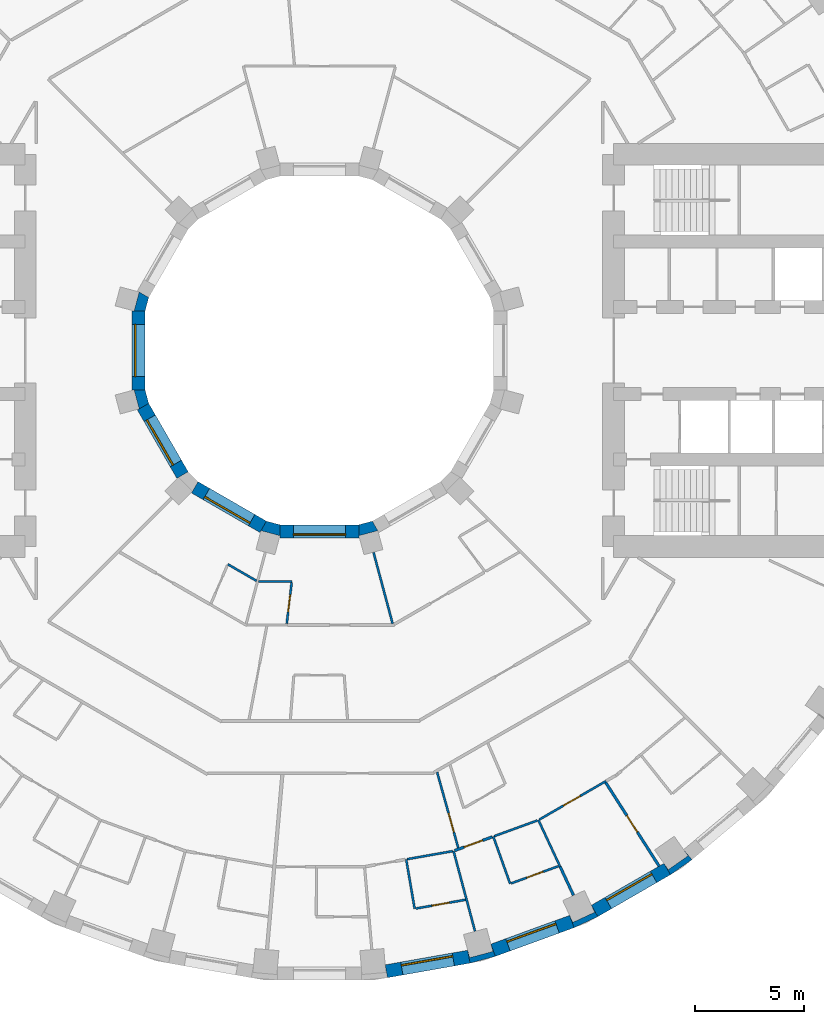
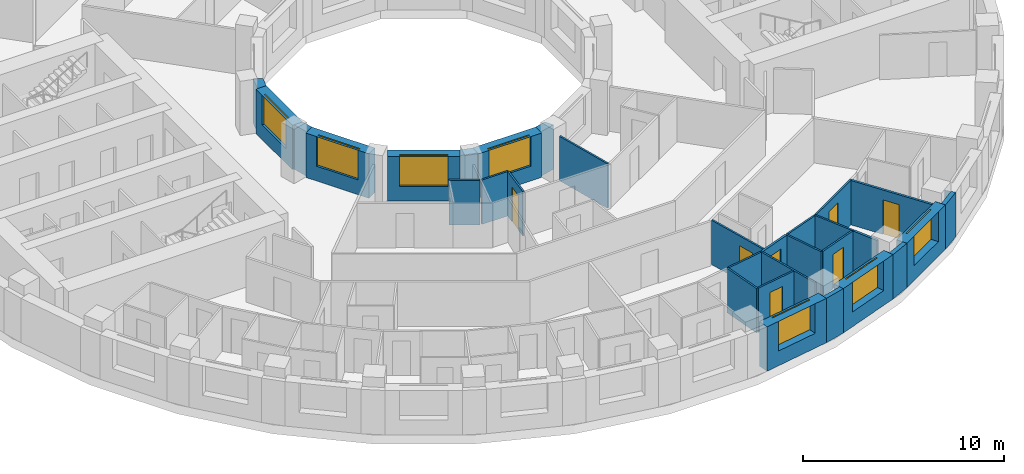
# One storey, part 7 of 15: 31 walls, 7 doors, 7 windows, 14 openings.
"""IFC4 building model written with IfcOpenShell, lengths in metres."""

from ifc_helpers import new_model, si_unit, direction, frame, frame_2d, origin, place, context, subcontext, project, spatial, polyline, rectangle, outline, extrude, material, layer, layer_set, type_object, element, fill, save


model = new_model("IFC4")

# Units and contexts
model_context = context("Model", 3, precision=1e-05, world=origin(), true_north=direction((0.0, 1.0)))
body_context = subcontext(model_context, "Body", "Model", "MODEL_VIEW")
ifc_project = project(units=[si_unit("LENGTHUNIT", "METRE"), si_unit("AREAUNIT", "SQUARE_METRE"), si_unit("VOLUMEUNIT", "CUBIC_METRE"), si_unit("PLANEANGLEUNIT", "RADIAN"), si_unit("MASSUNIT", "GRAM", prefix="KILO")], contexts=[model_context])

# Site, building, storey
site_placement = place(None, origin())
site = spatial("IfcSite", under=ifc_project, at=site_placement, CompositionType="ELEMENT")
building_placement = place(site_placement, origin())
building = spatial("IfcBuilding", under=site, at=building_placement, Name="Saqina Gate Tower", CompositionType="ELEMENT")
storey_placement = place(building_placement, frame((0.0, 0.0, 79.10009765625)))
storey = spatial("IfcBuildingStorey", under=building, at=storey_placement, Name="L22", CompositionType="ELEMENT", Elevation=79.10009765625)

# Walls
ifc_material_1 = material(Name="Brick masonry (red)", Category="masonry")
wall_type_1 = type_object("IfcWallType", Name="BRICK PIER COPING RED", PredefinedType="SOLIDWALL", material=ifc_material_1)
wall_1_placement = place(storey_placement, origin())
element("IfcWall", 1, at=wall_1_placement, inside=storey, type_object=wall_type_1, Name="Pier cap L22 column 29", PredefinedType="SOLIDWALL", context=body_context, shape_type="SweptSolid", body=[
    extrude(outline(polyline([(6.910400390625, -28.11669921875), (8.073974609375, -27.80517578125), (7.86865234375, -27.2412109375), (7.95947265625, -27.57958984375), (6.896728515625, -27.864501953125), (6.80615234375, -27.52587890625), (6.910400390625, -28.11669921875)])), origin(), (0.0, 0.0, 1.0), 2.699951171875),
])
wall_2_placement = place(storey_placement, origin())
element("IfcWall", 2, at=wall_2_placement, inside=storey, type_object=wall_type_1, Name="Pier cap L22 column 30", PredefinedType="SOLIDWALL", context=body_context, shape_type="SweptSolid", body=[
    extrude(outline(polyline([(12.779541015625, -25.980712890625), (12.4794921875, -25.4609375), (12.627685546875, -25.778564453125), (11.630615234375, -26.243408203125), (11.482666015625, -25.92578125), (11.687744140625, -26.48974609375), (12.779541015625, -25.980712890625)])), origin(), (0.0, 0.0, 1.0), 2.699951171875),
])
wall_3_placement = place(storey_placement, origin())
element("IfcWall", 3, at=wall_3_placement, inside=storey, type_object=wall_type_1, Name="Pier cap L22 column 31", PredefinedType="SOLIDWALL", context=body_context, shape_type="SweptSolid", body=[
    extrude(outline(polyline([(16.110107421875, -24.0576171875), (17.096923828125, -23.36669921875), (16.711181640625, -22.9072265625), (16.912109375, -23.194091796875), (16.010986328125, -23.8251953125), (15.81005859375, -23.5380859375), (16.110107421875, -24.0576171875)])), origin(), (0.0, 0.0, 1.0), 2.699951171875),
])

# Wall, opening, window
ifc_material_2 = material(Name="Brick masonry (red)", Category="masonry")
ifc_layer_1 = layer(ifc_material_2, 0.60009765625)
ifc_layer_set_1 = layer_set([ifc_layer_1], Name="FW-BRICK-RED")
wall_type_2 = type_object("IfcWallType", Name="FW-BRICK-RED", PredefinedType="SOLIDWALL", material=ifc_layer_set_1)
wall_4_placement = place(storey_placement, frame((3.07080078125, -28.4892578125, 0.0), z_axis=(0.0, 0.0, 1.0), x_axis=(0.984800809218, 0.173687553279, 0.0)))
wall_4 = element("IfcWall", 4, at=wall_4_placement, inside=storey, type_object=wall_type_2, Name="Facade wall L22 facet 28", PredefinedType="SOLIDWALL", context=body_context, shape_type="SweptSolid", body=[
    extrude(rectangle(XDim=3.845703125, YDim=0.60009765625, at=frame_2d((1.9228515625, 0.0))), origin(), (0.0, 0.0, 1.0), 2.699951171875),
])
opening_1_placement = place(wall_4_placement, frame((0.722900390625, 0.0, 0.89990234375)))
opening_1 = element("IfcOpeningElement", 5, at=opening_1_placement, cuts=wall_4, Name="Opening G06-W17", PredefinedType="OPENING", context=body_context, shape_type="SweptSolid", body=[
    extrude(rectangle(XDim=2.39990234375, YDim=1.800048828125, at=frame_2d((1.199951171875, 0.89990234375))), frame((0.0, 0.31201171875, 0.0), z_axis=(0.0, -1.0, 0.0), x_axis=(1.0, 0.0, 0.0)), (0.0, 0.0, 1.0), 0.6240234375),
])
ifc_material_3 = material(Name="Aluminium glazing", Category="aluminium")
window_type_1 = type_object("IfcWindowType", Name="WN-A", PartitioningType="SINGLE_PANEL", PredefinedType="WINDOW", material=ifc_material_3)
window_1_placement = place(opening_1_placement, origin())
window_1 = element("IfcWindow", 6, at=window_1_placement, inside=storey, type_object=window_type_1, Name="Window L22 facet 28", OverallHeight=1.800048828125, OverallWidth=2.39990234375, PartitioningType="SINGLE_PANEL", PredefinedType="WINDOW", context=body_context, shape_type="SweptSolid", body=[
    extrude(rectangle(XDim=2.39990234375, YDim=1.800048828125, at=frame_2d((1.199951171875, 0.89990234375))), frame((0.0, 0.179931640625, 0.0), z_axis=(0.0, -1.0, 0.0), x_axis=(1.0, 0.0, 0.0)), (0.0, 0.0, 1.0), 0.06005859375),
])
fill(opening_1, window_1)

wall_5_placement = place(storey_placement, frame((7.97119140625, -27.523193359375, 0.0), z_axis=(0.0, 0.0, 1.0), x_axis=(0.939689588564, 0.342028474173, 0.0)))
wall_5 = element("IfcWall", 7, at=wall_5_placement, inside=storey, type_object=wall_type_2, Name="Facade wall L22 facet 29", PredefinedType="SOLIDWALL", context=body_context, shape_type="SweptSolid", body=[
    extrude(rectangle(XDim=3.845947265625, YDim=0.60009765625, at=frame_2d((1.9228515625, 0.0))), origin(), (0.0, 0.0, 1.0), 2.699951171875),
])
opening_2_placement = place(wall_5_placement, frame((0.722900390625, 0.0, 0.89990234375)))
opening_2 = element("IfcOpeningElement", 8, at=opening_2_placement, cuts=wall_5, Name="Opening G06-W18", PredefinedType="OPENING", context=body_context, shape_type="SweptSolid", body=[
    extrude(rectangle(XDim=2.39990234375, YDim=1.800048828125, at=frame_2d((1.199951171875, 0.89990234375))), frame((0.0, 0.31201171875, 0.0), z_axis=(0.0, -1.0, 0.0), x_axis=(1.0, 0.0, 0.0)), (0.0, 0.0, 1.0), 0.6240234375),
])
window_2_placement = place(opening_2_placement, origin())
window_2 = element("IfcWindow", 9, at=window_2_placement, inside=storey, type_object=window_type_1, Name="Window L22 facet 29", OverallHeight=1.800048828125, OverallWidth=2.39990234375, PartitioningType="SINGLE_PANEL", PredefinedType="WINDOW", context=body_context, shape_type="SweptSolid", body=[
    extrude(rectangle(XDim=2.39990234375, YDim=1.800048828125, at=frame_2d((1.199951171875, 0.89990234375))), frame((0.0, 0.179931640625, 0.0), z_axis=(0.0, -1.0, 0.0), x_axis=(1.0, 0.0, 0.0)), (0.0, 0.0, 1.0), 0.06005859375),
])
fill(opening_2, window_2)

wall_6_placement = place(storey_placement, frame((12.629638671875, -25.720703125, 0.0), z_axis=(0.0, 0.0, 1.0), x_axis=(0.86603124159, 0.499989888488, 0.0)))
wall_6 = element("IfcWall", 10, at=wall_6_placement, inside=storey, type_object=wall_type_2, Name="Facade wall L22 facet 30", PredefinedType="SOLIDWALL", context=body_context, shape_type="SweptSolid", body=[
    extrude(rectangle(XDim=3.845703125, YDim=0.60009765625, at=frame_2d((1.9228515625, 0.0))), origin(), (0.0, 0.0, 1.0), 2.699951171875),
])
opening_3_placement = place(wall_6_placement, frame((0.722900390625, 0.0, 0.89990234375)))
opening_3 = element("IfcOpeningElement", 11, at=opening_3_placement, cuts=wall_6, Name="Opening G06-W19", PredefinedType="OPENING", context=body_context, shape_type="SweptSolid", body=[
    extrude(rectangle(XDim=2.39990234375, YDim=1.800048828125, at=frame_2d((1.199951171875, 0.89990234375))), frame((0.0, 0.31201171875, 0.0), z_axis=(0.0, -1.0, 0.0), x_axis=(1.0, 0.0, 0.0)), (0.0, 0.0, 1.0), 0.6240234375),
])
window_3_placement = place(opening_3_placement, origin())
window_3 = element("IfcWindow", 12, at=window_3_placement, inside=storey, type_object=window_type_1, Name="Window L22 facet 30", OverallHeight=1.800048828125, OverallWidth=2.39990234375, PartitioningType="SINGLE_PANEL", PredefinedType="WINDOW", context=body_context, shape_type="SweptSolid", body=[
    extrude(rectangle(XDim=2.39990234375, YDim=1.800048828125, at=frame_2d((1.199951171875, 0.89990234375))), frame((0.0, 0.179931640625, 0.0), z_axis=(0.0, -1.0, 0.0), x_axis=(1.0, 0.0, 0.0)), (0.0, 0.0, 1.0), 0.06005859375),
])
fill(opening_3, window_3)

ifc_material_4 = material(Name="Glazed ceramic tile", Category="ceramic")
ifc_layer_2 = layer(ifc_material_4, 0.60009765625)
ifc_layer_set_2 = layer_set([ifc_layer_2], Name="IW-TILE")
wall_type_3 = type_object("IfcWallType", Name="IW-TILE", PredefinedType="SOLIDWALL", material=ifc_layer_set_2)
wall_7_placement = place(storey_placement, frame((-8.300048828125, 1.8125, 0.0), z_axis=(0.0, 0.0, 1.0), x_axis=(0.0, -1.0, 0.0)))
wall_7 = element("IfcWall", 13, at=wall_7_placement, inside=storey, type_object=wall_type_3, Name="Well wall L22 facet 6", PredefinedType="SOLIDWALL", context=body_context, shape_type="SweptSolid", body=[
    extrude(rectangle(XDim=3.625, YDim=0.60009765625, at=frame_2d((1.8125, 0.0))), origin(), (0.0, 0.0, 1.0), 2.699951171875),
])
opening_4_placement = place(wall_7_placement, frame((0.612548828125, 0.0, 0.89990234375)))
opening_4 = element("IfcOpeningElement", 14, at=opening_4_placement, cuts=wall_7, Name="Opening G06-W28", PredefinedType="OPENING", context=body_context, shape_type="SweptSolid", body=[
    extrude(rectangle(XDim=2.39990234375, YDim=1.800048828125, at=frame_2d((1.199951171875, 0.89990234375))), frame((0.0, 0.31201171875, 0.0), z_axis=(0.0, -1.0, 0.0), x_axis=(1.0, 0.0, 0.0)), (0.0, 0.0, 1.0), 0.6240234375),
])
ifc_material_5 = material(Name="Aluminium glazing", Category="aluminium")
window_type_2 = type_object("IfcWindowType", Name="WN-W", PartitioningType="SINGLE_PANEL", PredefinedType="WINDOW", material=ifc_material_5)
window_4_placement = place(opening_4_placement, origin())
window_4 = element("IfcWindow", 15, at=window_4_placement, inside=storey, type_object=window_type_2, Name="Well window L22 facet 6", OverallHeight=1.800048828125, OverallWidth=2.39990234375, PartitioningType="SINGLE_PANEL", PredefinedType="WINDOW", context=body_context, shape_type="SweptSolid", body=[
    extrude(rectangle(XDim=2.39990234375, YDim=1.800048828125, at=frame_2d((1.199951171875, 0.89990234375))), frame((0.0, -0.119873046875, 0.0), z_axis=(0.0, -1.0, 0.0), x_axis=(1.0, 0.0, 0.0)), (0.0, 0.0, 1.0), 0.06005859375),
])
fill(opening_4, window_4)

wall_8_placement = place(storey_placement, frame((-8.09423828125, -2.580322265625, 0.0), z_axis=(0.0, 0.0, 1.0), x_axis=(0.499992569217, -0.866029693906, 0.0)))
wall_8 = element("IfcWall", 16, at=wall_8_placement, inside=storey, type_object=wall_type_3, Name="Well wall L22 facet 7", PredefinedType="SOLIDWALL", context=body_context, shape_type="SweptSolid", body=[
    extrude(rectangle(XDim=3.625, YDim=0.60009765625, at=frame_2d((1.8125, 0.0))), origin(), (0.0, 0.0, 1.0), 2.699951171875),
])
opening_5_placement = place(wall_8_placement, frame((0.612548828125, 0.0, 0.89990234375)))
opening_5 = element("IfcOpeningElement", 17, at=opening_5_placement, cuts=wall_8, Name="Opening G06-W29", PredefinedType="OPENING", context=body_context, shape_type="SweptSolid", body=[
    extrude(rectangle(XDim=2.39990234375, YDim=1.800048828125, at=frame_2d((1.199951171875, 0.89990234375))), frame((0.0, 0.31201171875, 0.0), z_axis=(0.0, -1.0, 0.0), x_axis=(1.0, 0.0, 0.0)), (0.0, 0.0, 1.0), 0.6240234375),
])
window_5_placement = place(opening_5_placement, origin())
window_5 = element("IfcWindow", 18, at=window_5_placement, inside=storey, type_object=window_type_2, Name="Well window L22 facet 7", OverallHeight=1.800048828125, OverallWidth=2.39990234375, PartitioningType="SINGLE_PANEL", PredefinedType="WINDOW", context=body_context, shape_type="SweptSolid", body=[
    extrude(rectangle(XDim=2.39990234375, YDim=1.800048828125, at=frame_2d((1.199951171875, 0.89990234375))), frame((0.0, -0.119873046875, 0.0), z_axis=(0.0, -1.0, 0.0), x_axis=(1.0, 0.0, 0.0)), (0.0, 0.0, 1.0), 0.06005859375),
])
fill(opening_5, window_5)

wall_9_placement = place(storey_placement, frame((-5.7197265625, -6.28173828125, 0.0), z_axis=(0.0, 0.0, 1.0), x_axis=(0.866029693906, -0.499992569217, 0.0)))
wall_9 = element("IfcWall", 19, at=wall_9_placement, inside=storey, type_object=wall_type_3, Name="Well wall L22 facet 8", PredefinedType="SOLIDWALL", context=body_context, shape_type="SweptSolid", body=[
    extrude(rectangle(XDim=3.625, YDim=0.60009765625, at=frame_2d((1.8125, 0.0))), origin(), (0.0, 0.0, 1.0), 2.699951171875),
])
opening_6_placement = place(wall_9_placement, frame((0.612548828125, 0.0, 0.89990234375)))
opening_6 = element("IfcOpeningElement", 20, at=opening_6_placement, cuts=wall_9, Name="Opening G06-W30", PredefinedType="OPENING", context=body_context, shape_type="SweptSolid", body=[
    extrude(rectangle(XDim=2.39990234375, YDim=1.800048828125, at=frame_2d((1.199951171875, 0.89990234375))), frame((0.0, 0.31201171875, 0.0), z_axis=(0.0, -1.0, 0.0), x_axis=(1.0, 0.0, 0.0)), (0.0, 0.0, 1.0), 0.6240234375),
])
window_6_placement = place(opening_6_placement, origin())
window_6 = element("IfcWindow", 21, at=window_6_placement, inside=storey, type_object=window_type_2, Name="Well window L22 facet 8", OverallHeight=1.800048828125, OverallWidth=2.39990234375, PartitioningType="SINGLE_PANEL", PredefinedType="WINDOW", context=body_context, shape_type="SweptSolid", body=[
    extrude(rectangle(XDim=2.39990234375, YDim=1.800048828125, at=frame_2d((1.199951171875, 0.89990234375))), frame((0.0, -0.119873046875, 0.0), z_axis=(0.0, -1.0, 0.0), x_axis=(1.0, 0.0, 0.0)), (0.0, 0.0, 1.0), 0.06005859375),
])
fill(opening_6, window_6)

wall_10_placement = place(storey_placement, frame((-1.8125, -8.300048828125, 0.0), z_axis=(0.0, 0.0, 1.0), x_axis=(1.0, 0.0, 0.0)))
wall_10 = element("IfcWall", 22, at=wall_10_placement, inside=storey, type_object=wall_type_3, Name="Well wall L22 facet 9", PredefinedType="SOLIDWALL", context=body_context, shape_type="SweptSolid", body=[
    extrude(rectangle(XDim=3.625, YDim=0.60009765625, at=frame_2d((1.8125, 0.0))), origin(), (0.0, 0.0, 1.0), 2.699951171875),
])
opening_7_placement = place(wall_10_placement, frame((0.612548828125, 0.0, 0.89990234375)))
opening_7 = element("IfcOpeningElement", 23, at=opening_7_placement, cuts=wall_10, Name="Opening G06-W31", PredefinedType="OPENING", context=body_context, shape_type="SweptSolid", body=[
    extrude(rectangle(XDim=2.39990234375, YDim=1.800048828125, at=frame_2d((1.199951171875, 0.89990234375))), frame((0.0, 0.31201171875, 0.0), z_axis=(0.0, -1.0, 0.0), x_axis=(1.0, 0.0, 0.0)), (0.0, 0.0, 1.0), 0.6240234375),
])
window_7_placement = place(opening_7_placement, origin())
window_7 = element("IfcWindow", 24, at=window_7_placement, inside=storey, type_object=window_type_2, Name="Well window L22 facet 9", OverallHeight=1.800048828125, OverallWidth=2.39990234375, PartitioningType="SINGLE_PANEL", PredefinedType="WINDOW", context=body_context, shape_type="SweptSolid", body=[
    extrude(rectangle(XDim=2.39990234375, YDim=1.800048828125, at=frame_2d((1.199951171875, 0.89990234375))), frame((0.0, -0.119873046875, 0.0), z_axis=(0.0, -1.0, 0.0), x_axis=(1.0, 0.0, 0.0)), (0.0, 0.0, 1.0), 0.06005859375),
])
fill(opening_7, window_7)

# Walls
ifc_material_6 = material(Name="Gypsum board on steel studs, 100 mm", Category="steel")
ifc_layer_3 = layer(ifc_material_6, 0.10009765625)
ifc_layer_set_3 = layer_set([ifc_layer_3], Name="PARTITION 100")
wall_type_4 = type_object("IfcWallType", Name="PARTITION 100", PredefinedType="PARTITIONING", material=ifc_layer_set_3)
wall_11_placement = place(storey_placement, frame((3.98291015625, -23.35302734375, 0.0), z_axis=(0.0, 0.0, 1.0), x_axis=(0.168356840278, -0.985726115273, 0.0)))
element("IfcWall", 25, at=wall_11_placement, inside=storey, type_object=wall_type_4, Name="PARTITION PW3-04", PredefinedType="PARTITIONING", context=body_context, shape_type="SweptSolid", body=[
    extrude(rectangle(XDim=2.2998046875, YDim=0.10009765625, at=frame_2d((1.14990234375, 0.0))), origin(), (0.0, 0.0, 1.0), 2.699951171875),
])
wall_12_placement = place(storey_placement, frame((6.155029296875, -22.969970703125, 0.0), z_axis=(0.0, 0.0, 1.0), x_axis=(0.258575921205, -0.965990938349, 0.0)))
element("IfcWall", 26, at=wall_12_placement, inside=storey, type_object=wall_type_4, Name="PARTITION PW3-07", PredefinedType="PARTITIONING", context=body_context, shape_type="SweptSolid", body=[
    extrude(rectangle(XDim=3.809814453125, YDim=0.10009765625, at=frame_2d((1.90478515625, 0.0))), origin(), (0.0, 0.0, 1.0), 2.699951171875),
])
wall_13_placement = place(storey_placement, frame((2.48291015625, -9.265380859375, 0.0), z_axis=(0.0, 0.0, 1.0), x_axis=(0.258787687785, -0.965934227911, 0.0)))
element("IfcWall", 27, at=wall_13_placement, inside=storey, type_object=wall_type_4, Name="PARTITION PW3-09", PredefinedType="PARTITIONING", context=body_context, shape_type="SweptSolid", body=[
    extrude(rectangle(XDim=3.3896484375, YDim=0.10009765625, at=frame_2d((1.69482421875, 0.0))), origin(), (0.0, 0.0, 1.0), 2.699951171875),
])

# Wall, opening, door
wall_14_placement = place(storey_placement, frame((5.401123046875, -19.35302734375, 0.0), z_axis=(0.0, 0.0, 1.0), x_axis=(0.268838425597, -0.963185288988, 0.0)))
wall_14 = element("IfcWall", 28, at=wall_14_placement, inside=storey, type_object=wall_type_4, Name="PARTITION PW3-10", PredefinedType="PARTITIONING", context=body_context, shape_type="SweptSolid", body=[
    extrude(rectangle(XDim=3.6044921875, YDim=0.10009765625, at=frame_2d((1.80224609375, 0.0))), origin(), (0.0, 0.0, 1.0), 2.699951171875),
])
opening_8_placement = place(wall_14_placement, frame((1.952392578125, 0.0, 0.0)))
opening_8 = element("IfcOpeningElement", 29, at=opening_8_placement, cuts=wall_14, Name="Opening G06-D60", PredefinedType="OPENING", context=body_context, shape_type="SweptSolid", body=[
    extrude(rectangle(XDim=0.89990234375, YDim=2.10009765625, at=frame_2d((0.449951171875, 1.050048828125))), frame((0.0, 0.06201171875, 0.0), z_axis=(0.0, -1.0, 0.0), x_axis=(1.0, 0.0, 0.0)), (0.0, 0.0, 1.0), 0.1240234375),
])
ifc_material_7 = material(Name="Timber door leaf, 900 mm", Category="wood")
door_type_1 = type_object("IfcDoorType", Name="DOOR 900 TIMBER", OperationType="SINGLE_SWING_LEFT", PredefinedType="DOOR", material=ifc_material_7)
door_1_placement = place(opening_8_placement, origin())
door_1 = element("IfcDoor", 30, at=door_1_placement, inside=storey, type_object=door_type_1, Name="DOOR G06-D60", OperationType="SINGLE_SWING_LEFT", OverallHeight=2.10009765625, OverallWidth=0.89990234375, PredefinedType="DOOR", context=body_context, shape_type="SweptSolid", body=[
    extrude(rectangle(XDim=0.89990234375, YDim=2.10009765625, at=frame_2d((0.449951171875, 1.050048828125))), frame((0.0, 0.02490234375, 0.0), z_axis=(0.0, -1.0, 0.0), x_axis=(1.0, 0.0, 0.0)), (0.0, 0.0, 1.0), 0.050048828125),
])
fill(opening_8, door_1)

# Walls
wall_15_placement = place(storey_placement, frame((7.97802734375, -22.305908203125, 0.0), z_axis=(0.0, 0.0, 1.0), x_axis=(0.336470872414, -0.941693873834, 0.0)))
element("IfcWall", 31, at=wall_15_placement, inside=storey, type_object=wall_type_4, Name="PARTITION PW3-12", PredefinedType="PARTITIONING", context=body_context, shape_type="SweptSolid", body=[
    extrude(rectangle(XDim=2.300048828125, YDim=0.10009765625, at=frame_2d((1.14990234375, 0.0))), origin(), (0.0, 0.0, 1.0), 2.699951171875),
])
wall_16_placement = place(storey_placement, frame((10.050048828125, -21.552001953125, 0.0), z_axis=(0.0, 0.0, 1.0), x_axis=(0.422500217466, -0.906362822627, 0.0)))
element("IfcWall", 32, at=wall_16_placement, inside=storey, type_object=wall_type_4, Name="PARTITION PW3-18", PredefinedType="PARTITIONING", context=body_context, shape_type="SweptSolid", body=[
    extrude(rectangle(XDim=2.359375, YDim=0.10009765625, at=frame_2d((1.1796875, 0.0))), origin(), (0.0, 0.0, 1.0), 2.699951171875),
])
wall_17_placement = place(storey_placement, frame((-4.202880859375, -9.81298828125, 0.0), z_axis=(0.0, 0.0, 1.0), x_axis=(0.865996139065, -0.500050684555, 0.0)))
element("IfcWall", 33, at=wall_17_placement, inside=storey, type_object=wall_type_4, Name="PARTITION PW3-42", PredefinedType="PARTITIONING", context=body_context, shape_type="SweptSolid", body=[
    extrude(rectangle(XDim=1.523681640625, YDim=0.10009765625, at=frame_2d((0.76171875, 0.0))), origin(), (0.0, 0.0, 1.0), 2.699951171875),
])
wall_18_placement = place(storey_placement, frame((-2.7900390625, -10.60009765625, 0.0), z_axis=(0.0, 0.0, 1.0), x_axis=(1.0, 0.0, 0.0)))
element("IfcWall", 34, at=wall_18_placement, inside=storey, type_object=wall_type_4, Name="PARTITION PW3-60", PredefinedType="PARTITIONING", context=body_context, shape_type="SweptSolid", body=[
    extrude(rectangle(XDim=1.52294921875, YDim=0.10009765625, at=frame_2d((0.761474609375, 0.0))), origin(), (0.0, 0.0, 1.0), 2.699951171875),
])

# Wall, opening, door
wall_19_placement = place(storey_placement, frame((4.419189453125, -25.611328125, 0.0), z_axis=(0.0, 0.0, 1.0), x_axis=(0.984814280308, 0.173611155466, 0.0)))
wall_19 = element("IfcWall", 35, at=wall_19_placement, inside=storey, type_object=wall_type_4, Name="PARTITION PW3-63", PredefinedType="PARTITIONING", context=body_context, shape_type="SweptSolid", body=[
    extrude(rectangle(XDim=2.31884765625, YDim=0.10009765625, at=frame_2d((1.159423828125, 0.0))), origin(), (0.0, 0.0, 1.0), 2.699951171875),
])
opening_9_placement = place(wall_19_placement, frame((0.759521484375, 0.0, 0.0)))
opening_9 = element("IfcOpeningElement", 36, at=opening_9_placement, cuts=wall_19, Name="Opening G06-D59", PredefinedType="OPENING", context=body_context, shape_type="SweptSolid", body=[
    extrude(rectangle(XDim=0.800048828125, YDim=2.10009765625, at=frame_2d((0.39990234375, 1.050048828125))), frame((0.0, 0.06201171875, 0.0), z_axis=(0.0, -1.0, 0.0), x_axis=(1.0, 0.0, 0.0)), (0.0, 0.0, 1.0), 0.1240234375),
])
ifc_material_8 = material(Name="Timber door leaf, 800 mm", Category="wood")
door_type_2 = type_object("IfcDoorType", Name="DOOR 800 TIMBER", OperationType="SINGLE_SWING_LEFT", PredefinedType="DOOR", material=ifc_material_8)
door_2_placement = place(opening_9_placement, frame((0.800048828125, 0.0, 0.0), z_axis=(0.0, 0.0, 1.0), x_axis=(-1.0, 0.0, 0.0)))
door_2 = element("IfcDoor", 37, at=door_2_placement, inside=storey, type_object=door_type_2, Name="DOOR G06-D59", OperationType="SINGLE_SWING_LEFT", OverallHeight=2.10009765625, OverallWidth=0.800048828125, PredefinedType="DOOR", context=body_context, shape_type="SweptSolid", body=[
    extrude(rectangle(XDim=0.800048828125, YDim=2.10009765625, at=frame_2d((0.39990234375, 1.050048828125))), frame((0.0, 0.02490234375, 0.0), z_axis=(0.0, -1.0, 0.0), x_axis=(1.0, 0.0, 0.0)), (0.0, 0.0, 1.0), 0.050048828125),
])
fill(opening_9, door_2)

# Wall
wall_20_placement = place(storey_placement, frame((4.0322265625, -23.34423828125, 0.0), z_axis=(0.0, 0.0, 1.0), x_axis=(0.984818559242, 0.173586881336, 0.0)))
element("IfcWall", 38, at=wall_20_placement, inside=storey, type_object=wall_type_4, Name="PARTITION PW3-64", PredefinedType="PARTITIONING", context=body_context, shape_type="SweptSolid", body=[
    extrude(rectangle(XDim=2.10546875, YDim=0.10009765625, at=frame_2d((1.052734375, 0.0))), origin(), (0.0, 0.0, 1.0), 2.699951171875),
])

# Wall, opening, door
wall_21_placement = place(storey_placement, frame((8.799072265625, -24.454833984375, 0.0), z_axis=(0.0, 0.0, 1.0), x_axis=(0.939774884543, 0.341794040882, 0.0)))
wall_21 = element("IfcWall", 39, at=wall_21_placement, inside=storey, type_object=wall_type_4, Name="PARTITION PW3-67", PredefinedType="PARTITIONING", context=body_context, shape_type="SweptSolid", body=[
    extrude(rectangle(XDim=2.30712890625, YDim=0.10009765625, at=frame_2d((1.153564453125, 0.0))), origin(), (0.0, 0.0, 1.0), 2.699951171875),
])
opening_10_placement = place(wall_21_placement, frame((0.760009765625, 0.0, 0.0)))
opening_10 = element("IfcOpeningElement", 40, at=opening_10_placement, cuts=wall_21, Name="Opening G06-D63", PredefinedType="OPENING", context=body_context, shape_type="SweptSolid", body=[
    extrude(rectangle(XDim=0.800048828125, YDim=2.10009765625, at=frame_2d((0.39990234375, 1.050048828125))), frame((0.0, 0.06201171875, 0.0), z_axis=(0.0, -1.0, 0.0), x_axis=(1.0, 0.0, 0.0)), (0.0, 0.0, 1.0), 0.1240234375),
])
door_3_placement = place(opening_10_placement, frame((0.800048828125, 0.0, 0.0), z_axis=(0.0, 0.0, 1.0), x_axis=(-1.0, 0.0, 0.0)))
door_3 = element("IfcDoor", 41, at=door_3_placement, inside=storey, type_object=door_type_2, Name="DOOR G06-D63", OperationType="SINGLE_SWING_LEFT", OverallHeight=2.10009765625, OverallWidth=0.800048828125, PredefinedType="DOOR", context=body_context, shape_type="SweptSolid", body=[
    extrude(rectangle(XDim=0.800048828125, YDim=2.10009765625, at=frame_2d((0.39990234375, 1.050048828125))), frame((0.0, 0.02490234375, 0.0), z_axis=(0.0, -1.0, 0.0), x_axis=(1.0, 0.0, 0.0)), (0.0, 0.0, 1.0), 0.050048828125),
])
fill(opening_10, door_3)

# Wall
wall_22_placement = place(storey_placement, frame((8.02490234375, -22.288818359375, 0.0), z_axis=(0.0, 0.0, 1.0), x_axis=(0.939725675468, 0.341929312674, 0.0)))
element("IfcWall", 42, at=wall_22_placement, inside=storey, type_object=wall_type_4, Name="PARTITION PW3-68", PredefinedType="PARTITIONING", context=body_context, shape_type="SweptSolid", body=[
    extrude(rectangle(XDim=2.10498046875, YDim=0.10009765625, at=frame_2d((1.052490234375, 0.0))), origin(), (0.0, 0.0, 1.0), 2.699951171875),
])

# Wall, opening, door
wall_23_placement = place(storey_placement, frame((10.09326171875, -21.527099609375, 0.0), z_axis=(0.0, 0.0, 1.0), x_axis=(0.866092412582, 0.499883919394, 0.0)))
wall_23 = element("IfcWall", 43, at=wall_23_placement, inside=storey, type_object=wall_type_4, Name="PARTITION PW3-73", PredefinedType="PARTITIONING", context=body_context, shape_type="SweptSolid", body=[
    extrude(rectangle(XDim=3.533935546875, YDim=0.10009765625, at=frame_2d((1.76708984375, 0.0))), origin(), (0.0, 0.0, 1.0), 2.699951171875),
])
opening_11_placement = place(wall_23_placement, frame((1.26708984375, 0.0, 0.0)))
opening_11 = element("IfcOpeningElement", 44, at=opening_11_placement, cuts=wall_23, Name="Opening G06-D65", PredefinedType="OPENING", context=body_context, shape_type="SweptSolid", body=[
    extrude(rectangle(XDim=0.89990234375, YDim=2.10009765625, at=frame_2d((0.449951171875, 1.050048828125))), frame((0.0, 0.06201171875, 0.0), z_axis=(0.0, -1.0, 0.0), x_axis=(1.0, 0.0, 0.0)), (0.0, 0.0, 1.0), 0.1240234375),
])
door_4_placement = place(opening_11_placement, origin())
door_4 = element("IfcDoor", 45, at=door_4_placement, inside=storey, type_object=door_type_1, Name="DOOR G06-D65", OperationType="SINGLE_SWING_LEFT", OverallHeight=2.10009765625, OverallWidth=0.89990234375, PredefinedType="DOOR", context=body_context, shape_type="SweptSolid", body=[
    extrude(rectangle(XDim=0.89990234375, YDim=2.10009765625, at=frame_2d((0.449951171875, 1.050048828125))), frame((0.0, 0.02490234375, 0.0), z_axis=(0.0, -1.0, 0.0), x_axis=(1.0, 0.0, 0.0)), (0.0, 0.0, 1.0), 0.050048828125),
])
fill(opening_11, door_4)

wall_24_placement = place(storey_placement, frame((-1.49853515625, -12.537841796875, 0.0), z_axis=(0.0, 0.0, 1.0), x_axis=(0.118628824783, 0.992938669773, 0.0)))
wall_24 = element("IfcWall", 46, at=wall_24_placement, inside=storey, type_object=wall_type_4, Name="PARTITION PW3-117", PredefinedType="PARTITIONING", context=body_context, shape_type="SweptSolid", body=[
    extrude(rectangle(XDim=1.901611328125, YDim=0.10009765625, at=frame_2d((0.95068359375, 0.0))), origin(), (0.0, 0.0, 1.0), 2.699951171875),
])
opening_12_placement = place(wall_24_placement, frame((0.544677734375, 0.0, 0.0)))
opening_12 = element("IfcOpeningElement", 47, at=opening_12_placement, cuts=wall_24, Name="Opening G06-D52", PredefinedType="OPENING", context=body_context, shape_type="SweptSolid", body=[
    extrude(rectangle(XDim=0.800048828125, YDim=2.10009765625, at=frame_2d((0.39990234375, 1.050048828125))), frame((0.0, 0.06201171875, 0.0), z_axis=(0.0, -1.0, 0.0), x_axis=(1.0, 0.0, 0.0)), (0.0, 0.0, 1.0), 0.1240234375),
])
door_5_placement = place(opening_12_placement, frame((0.800048828125, 0.0, 0.0), z_axis=(0.0, 0.0, 1.0), x_axis=(-1.0, 0.0, 0.0)))
door_5 = element("IfcDoor", 48, at=door_5_placement, inside=storey, type_object=door_type_2, Name="DOOR G06-D52", OperationType="SINGLE_SWING_RIGHT", OverallHeight=2.10009765625, OverallWidth=0.800048828125, PredefinedType="DOOR", context=body_context, shape_type="SweptSolid", body=[
    extrude(rectangle(XDim=0.800048828125, YDim=2.10009765625, at=frame_2d((0.39990234375, 1.050048828125))), frame((0.0, 0.02490234375, 0.0), z_axis=(0.0, -1.0, 0.0), x_axis=(1.0, 0.0, 0.0)), (0.0, 0.0, 1.0), 0.050048828125),
])
fill(opening_12, door_5)

# Wall
ifc_material_9 = material(Name="Gypsum board on steel studs, 125 mm, fire rated", Category="steel")
ifc_layer_4 = layer(ifc_material_9, 0.125)
ifc_layer_set_4 = layer_set([ifc_layer_4], Name="PARTITION EI 30 125")
wall_type_5 = type_object("IfcWallType", Name="PARTITION EI 30 125", PredefinedType="PARTITIONING", material=ifc_layer_set_4)
wall_25_placement = place(storey_placement, frame((11.047119140625, -23.6904296875, 0.0), z_axis=(0.0, 0.0, 1.0), x_axis=(0.42247077632, -0.906376546009, 0.0)))
element("IfcWall", 49, at=wall_25_placement, inside=storey, type_object=wall_type_5, Name="PARTITION PW1-02", PredefinedType="PARTITIONING", context=body_context, shape_type="SweptSolid", body=[
    extrude(rectangle(XDim=1.450439453125, YDim=0.125, at=frame_2d((0.72509765625, 0.0))), origin(), (0.0, 0.0, 1.0), 2.699951171875),
])

# Wall, opening, door
wall_26_placement = place(storey_placement, frame((13.137939453125, -19.828125, 0.0), z_axis=(0.0, 0.0, 1.0), x_axis=(0.538359660084, -0.842715181063, 0.0)))
wall_26 = element("IfcWall", 50, at=wall_26_placement, inside=storey, type_object=wall_type_5, Name="PARTITION PW1-09", PredefinedType="PARTITIONING", context=body_context, shape_type="SweptSolid", body=[
    extrude(rectangle(XDim=4.552978515625, YDim=0.125, at=frame_2d((2.2763671875, 0.0))), origin(), (0.0, 0.0, 1.0), 2.699951171875),
])
opening_13_placement = place(wall_26_placement, frame((1.801513671875, 0.0, 0.0)))
opening_13 = element("IfcOpeningElement", 51, at=opening_13_placement, cuts=wall_26, Name="Opening G06-D67", PredefinedType="OPENING", context=body_context, shape_type="SweptSolid", body=[
    extrude(rectangle(XDim=0.89990234375, YDim=2.10009765625, at=frame_2d((0.449951171875, 1.050048828125))), frame((0.0, 0.074462890625, 0.0), z_axis=(0.0, -1.0, 0.0), x_axis=(1.0, 0.0, 0.0)), (0.0, 0.0, 1.0), 0.14892578125),
])
ifc_material_10 = material(Name="Fire door leaf EI 30, 900 mm")
door_type_3 = type_object("IfcDoorType", Name="DOOR 900 EI 30", OperationType="SINGLE_SWING_LEFT", PredefinedType="DOOR", material=ifc_material_10)
door_6_placement = place(opening_13_placement, origin())
door_6 = element("IfcDoor", 52, at=door_6_placement, inside=storey, type_object=door_type_3, Name="DOOR G06-D67", OperationType="SINGLE_SWING_LEFT", OverallHeight=2.10009765625, OverallWidth=0.89990234375, PredefinedType="DOOR", context=body_context, shape_type="SweptSolid", body=[
    extrude(rectangle(XDim=0.89990234375, YDim=2.10009765625, at=frame_2d((0.449951171875, 1.050048828125))), frame((0.0, 0.02490234375, 0.0), z_axis=(0.0, -1.0, 0.0), x_axis=(1.0, 0.0, 0.0)), (0.0, 0.0, 1.0), 0.050048828125),
])
fill(opening_13, door_6)

wall_27_placement = place(storey_placement, frame((6.201904296875, -22.952880859375, 0.0), z_axis=(0.0, 0.0, 1.0), x_axis=(0.939591829345, 0.342296938677, 0.0)))
wall_27 = element("IfcWall", 53, at=wall_27_placement, inside=storey, type_object=wall_type_5, Name="PARTITION PW1-38", PredefinedType="PARTITIONING", context=body_context, shape_type="SweptSolid", body=[
    extrude(rectangle(XDim=1.840087890625, YDim=0.125, at=frame_2d((0.919921875, 0.0))), origin(), (0.0, 0.0, 1.0), 2.699951171875),
])
opening_14_placement = place(wall_27_placement, frame((0.47021484375, 0.0, 0.0)))
opening_14 = element("IfcOpeningElement", 54, at=opening_14_placement, cuts=wall_27, Name="Opening G06-D61", PredefinedType="OPENING", context=body_context, shape_type="SweptSolid", body=[
    extrude(rectangle(XDim=0.89990234375, YDim=2.10009765625, at=frame_2d((0.449951171875, 1.050048828125))), frame((0.0, 0.074462890625, 0.0), z_axis=(0.0, -1.0, 0.0), x_axis=(1.0, 0.0, 0.0)), (0.0, 0.0, 1.0), 0.14892578125),
])
door_7_placement = place(opening_14_placement, frame((0.89990234375, 0.0, 0.0), z_axis=(0.0, 0.0, 1.0), x_axis=(-1.0, 0.0, 0.0)))
door_7 = element("IfcDoor", 55, at=door_7_placement, inside=storey, type_object=door_type_3, Name="DOOR G06-D61", OperationType="SINGLE_SWING_LEFT", OverallHeight=2.10009765625, OverallWidth=0.89990234375, PredefinedType="DOOR", context=body_context, shape_type="SweptSolid", body=[
    extrude(rectangle(XDim=0.89990234375, YDim=2.10009765625, at=frame_2d((0.449951171875, 1.050048828125))), frame((0.0, 0.02490234375, 0.0), z_axis=(0.0, -1.0, 0.0), x_axis=(1.0, 0.0, 0.0)), (0.0, 0.0, 1.0), 0.050048828125),
])
fill(opening_14, door_7)

# Walls
ifc_material_11 = material(Name="Glazed ceramic tile", Category="ceramic")
wall_type_6 = type_object("IfcWallType", Name="TILE PIER COPING", PredefinedType="SOLIDWALL", material=ifc_material_11)
wall_28_placement = place(storey_placement, origin())
element("IfcWall", 56, at=wall_28_placement, inside=storey, type_object=wall_type_6, Name="Well pier cap L22 column 6", PredefinedType="SOLIDWALL", context=body_context, shape_type="SweptSolid", body=[
    extrude(outline(polyline([(-8.502685546875, 1.8125), (-8.0, 1.8125), (-7.83447265625, 2.430419921875), (-8.27001953125, 2.681884765625), (-8.502685546875, 1.8125)])), origin(), (0.0, 0.0, 1.0), 2.699951171875),
])
wall_29_placement = place(storey_placement, origin())
element("IfcWall", 57, at=wall_29_placement, inside=storey, type_object=wall_type_6, Name="Well pier cap L22 column 7", PredefinedType="SOLIDWALL", context=body_context, shape_type="SweptSolid", body=[
    extrude(outline(polyline([(-8.27001953125, -2.681884765625), (-7.83447265625, -2.430419921875), (-8.0, -1.8125), (-8.502685546875, -1.8125), (-8.27001953125, -2.681884765625)])), origin(), (0.0, 0.0, 1.0), 2.699951171875),
])
wall_30_placement = place(storey_placement, origin())
element("IfcWall", 58, at=wall_30_placement, inside=storey, type_object=wall_type_6, Name="Well pier cap L22 column 9", PredefinedType="SOLIDWALL", context=body_context, shape_type="SweptSolid", body=[
    extrude(outline(polyline([(-1.8125, -8.502685546875), (-1.8125, -8.0), (-2.430419921875, -7.83447265625), (-2.681884765625, -8.27001953125), (-1.8125, -8.502685546875)])), origin(), (0.0, 0.0, 1.0), 2.699951171875),
])
wall_31_placement = place(storey_placement, origin())
element("IfcWall", 59, at=wall_31_placement, inside=storey, type_object=wall_type_6, Name="Well pier cap L22 column 10", PredefinedType="SOLIDWALL", context=body_context, shape_type="SweptSolid", body=[
    extrude(outline(polyline([(2.681884765625, -8.27001953125), (2.430419921875, -7.83447265625), (1.8125, -8.0), (1.8125, -8.502685546875), (2.681884765625, -8.27001953125)])), origin(), (0.0, 0.0, 1.0), 2.699951171875),
])

save(model, "model.ifc")
